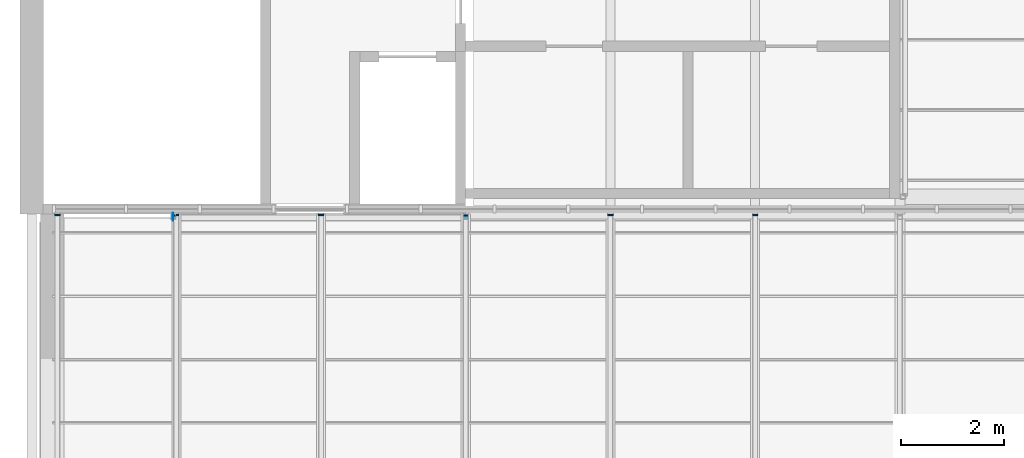
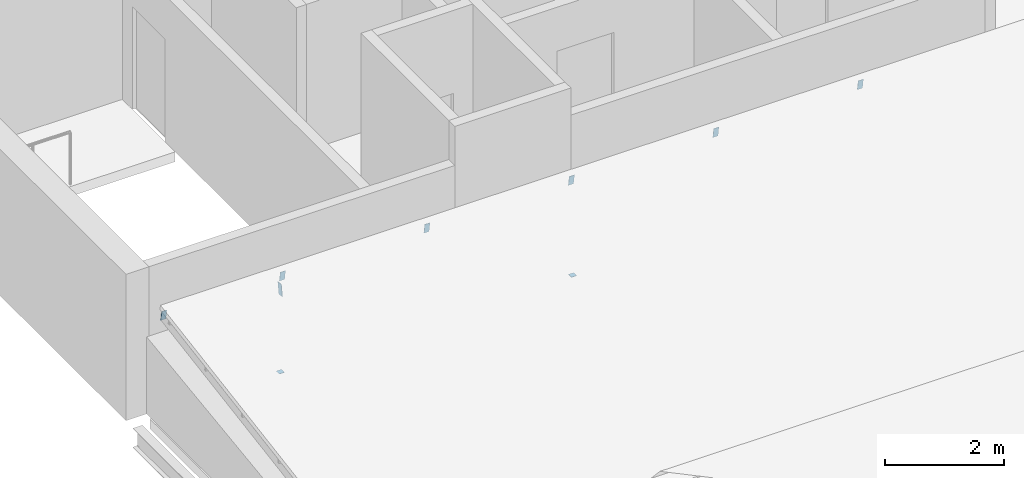
# One storey, part 28 of 33: 9 discrete accessories.
"""IFC4 building model written with IfcOpenShell, lengths in metres."""

from ifc_helpers import new_model, si_unit, direction, frame, origin, origin_2d, place, context, subcontext, project, spatial, rectangle, extrude, material, material_profile, profile_set, type_object, element, save


model = new_model("IFC4")

# Units and contexts
model_context = context("Model", 3, precision=1e-05, world=origin(), true_north=direction((0.0, 1.0)))
body_context = subcontext(model_context, "Body", "Model", "MODEL_VIEW")
ifc_project = project(units=[si_unit("LENGTHUNIT", "METRE"), si_unit("AREAUNIT", "SQUARE_METRE"), si_unit("VOLUMEUNIT", "CUBIC_METRE"), si_unit("PLANEANGLEUNIT", "RADIAN"), si_unit("MASSUNIT", "GRAM", prefix="KILO")], contexts=[model_context])

# Site, building, storey
site_placement = place(None, origin())
site = spatial("IfcSite", under=ifc_project, at=site_placement, CompositionType="ELEMENT")
building_placement = place(site_placement, origin())
building = spatial("IfcBuilding", under=site, at=building_placement, Name="Ardhachandra Cancer Care Centre", CompositionType="ELEMENT")
storey_placement = place(building_placement, frame((0.0, 0.0, 27.0)))
storey = spatial("IfcBuildingStorey", under=building, at=storey_placement, Name="Roof", CompositionType="ELEMENT", Elevation=27.0)

# Discrete accessories
ifc_material_1 = material(Name="Galvanised flat steel (Steel E250 (IS 2062))", Category="steel")
ifc_material_profile_1 = material_profile(ifc_material_1, rectangle(XDim=0.10009765625, YDim=0.199951171875, at=origin_2d()), Name="Rafter end plate 200 x 100 x 8")
ifc_profile_set_1 = profile_set([ifc_material_profile_1], Name="Galvanised flat steel (Steel E250 (IS 2062))")
discrete_accessory_type_1 = type_object("IfcDiscreteAccessoryType", Name="Rafter end plate 200 x 100 x 8", PredefinedType="BRACKET", material=ifc_profile_set_1)
for number, where, z_axis, x_axis, name in (
    (1, (112.10009765625, 96.583740234375, 1.918701171875), (0.0, 0.988012033751, 0.154376880274), (-1.0, 0.0, 0.0), "Rafter end plate ST2a.1.2"),
    (2, (114.39990234375, 96.583740234375, 1.918701171875), (0.0, 0.988012033751, 0.154376880274), (-1.0, 0.0, 0.0), "Rafter end plate ST2a.2.2"),
    (3, (117.199951171875, 96.583740234375, 1.918701171875), (0.0, 0.988012033751, 0.154376880274), (-1.0, 0.0, 0.0), "Rafter end plate ST2a.3.2"),
    (4, (120.0, 96.583740234375, 1.918701171875), (0.0, 0.988012033751, 0.154376880274), (-1.0, 0.0, 0.0), "Rafter end plate ST2a.4.2"),
    (5, (122.800048828125, 96.583740234375, 1.918701171875), (0.0, 0.988012033751, 0.154376880274), (-1.0, 0.0, 0.0), "Rafter end plate ST2a.5.2"),
    (6, (125.60009765625, 96.583740234375, 1.918701171875), (0.0, 0.988012033751, 0.154376880274), (-1.0, 0.0, 0.0), "Rafter end plate ST2a.6.2"),
):
    element("IfcDiscreteAccessory", number, at=place(storey_placement, frame(where, z_axis=z_axis, x_axis=x_axis)), inside=storey, type_object=discrete_accessory_type_1, Name=name, PredefinedType="BRACKET", context=body_context, shape_type="SweptSolid", body=[
        extrude(rectangle(XDim=0.10009765625, YDim=0.199951171875, at=origin_2d()), origin(), (0.0, 0.0, 1.0), 0.0078125),
    ])
ifc_material_2 = material(Name="Galvanised flat steel (Steel E250 (IS 2062))", Category="steel")
ifc_material_profile_2 = material_profile(ifc_material_2, rectangle(XDim=0.1201171875, YDim=0.239990234375, at=origin_2d()), Name="Ridge beam end plate 240 x 120 x 8")
ifc_profile_set_2 = profile_set([ifc_material_profile_2], Name="Galvanised flat steel (Steel E250 (IS 2062))")
discrete_accessory_type_2 = type_object("IfcDiscreteAccessoryType", Name="Ridge beam end plate 240 x 120 x 8", PredefinedType="BRACKET", material=ifc_profile_set_2)
discrete_accessory_placement = place(storey_placement, frame((114.340087890625, 96.550048828125, 1.690185546875), z_axis=(-1.0, 0.0, 0.0), x_axis=(0.0, -0.986659291142, 0.162798781332)))
element("IfcDiscreteAccessory", 7, at=discrete_accessory_placement, inside=storey, type_object=discrete_accessory_type_2, Name="Ridge beam end plate ST2a.1", PredefinedType="BRACKET", context=body_context, shape_type="SweptSolid", body=[
    extrude(rectangle(XDim=0.1201171875, YDim=0.239990234375, at=origin_2d()), origin(), (0.0, 0.0, 1.0), 0.008056640625),
])
ifc_material_3 = material(Name="Galvanised flat steel (Steel E250 (IS 2062))", Category="steel")
ifc_material_profile_3 = material_profile(ifc_material_3, rectangle(XDim=0.10009765625, YDim=0.10009765625, at=origin_2d()), Name="Ridge post foot plate 100 x 100 x 8")
ifc_profile_set_3 = profile_set([ifc_material_profile_3], Name="Galvanised flat steel (Steel E250 (IS 2062))")
discrete_accessory_type_3 = type_object("IfcDiscreteAccessoryType", Name="Ridge post foot plate 100 x 100 x 8", PredefinedType="BRACKET", material=ifc_profile_set_3)
for number, where, z_axis, x_axis, name in (
    (8, (114.340087890625, 96.550048828125, 0.0), (0.0, 0.0, -1.0), (1.0, 0.0, 0.0), "Ridge post foot plate ST2a.1"),
    (9, (120.0, 96.550048828125, 0.0), (0.0, 0.0, -1.0), (1.0, 0.0, 0.0), "Ridge post foot plate ST2a.2"),
):
    element("IfcDiscreteAccessory", number, at=place(storey_placement, frame(where, z_axis=z_axis, x_axis=x_axis)), inside=storey, type_object=discrete_accessory_type_3, Name=name, PredefinedType="BRACKET", context=body_context, shape_type="SweptSolid", body=[
        extrude(rectangle(XDim=0.10009765625, YDim=0.10009765625, at=origin_2d()), origin(), (0.0, 0.0, 1.0), 0.008056640625),
    ])

save(model, "model.ifc")
